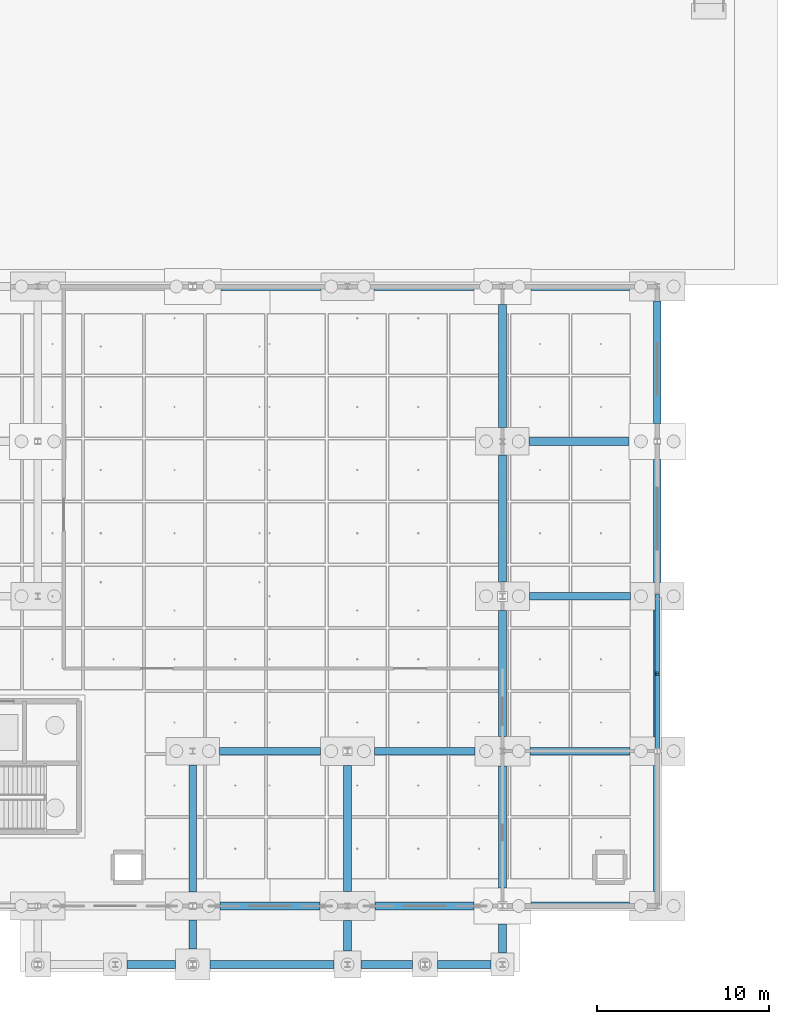
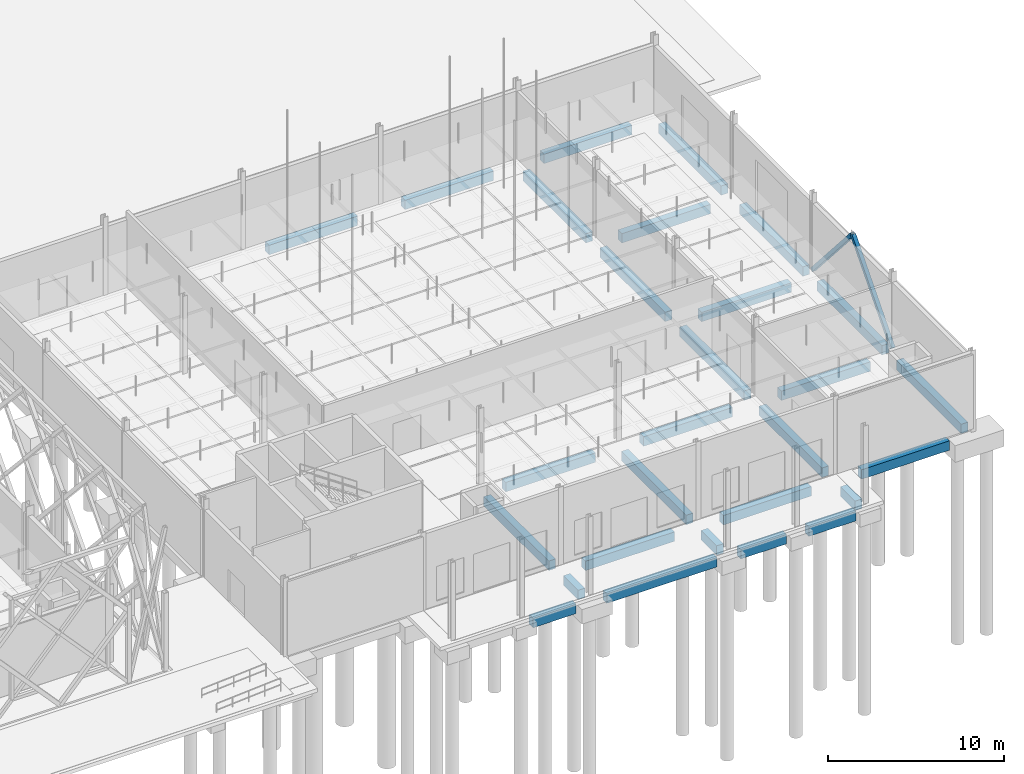
# One storey, part 63 of 180: 28 beams, 2 members.
"""IFC4 building model written with IfcOpenShell, lengths in metres."""

import ifcopenshell
import ifcopenshell.guid

model = None  # the IFC model being written
_history = None  # IfcOwnerHistory: only IFC2X3 demands one
_inside = {}  # id of a spatial element -> (the spatial element, [elements in it])
_under = {}  # id of a project, library or spatial element -> (it, [spatial elements below it])
_declared = {}  # id of a project -> (the project, [libraries it declares])
_typed = {}  # id of a type object -> (the type object, [elements of that type])
_made_of = {}  # id of a material, layer set ... -> (it, [elements and type objects made of it])


def new_model(schema):
    """Start an empty IFC model of exactly this schema.

    Asked for "IFC4X3", IfcOpenShell would pick the latest addendum, in which some entities
    have other attributes; the version numbers below select the first issue.
    IFC2X3 requires an IfcOwnerHistory on every rooted entity: one is made here for all.
    """
    global model, _history
    if schema == "IFC4X3":
        model = ifcopenshell.file(schema_version=(4, 3, 0, 0))
    else:
        model = ifcopenshell.file(schema=schema)
    _inside.clear()
    _under.clear()
    _declared.clear()
    _typed.clear()
    _made_of.clear()
    _history = None
    if model.schema == "IFC2X3":
        org = make("IfcOrganization", Name="unknown")
        user = make(
            "IfcPersonAndOrganization",
            ThePerson=make("IfcPerson", FamilyName="unknown"),
            TheOrganization=org,
        )
        app = make(
            "IfcApplication",
            ApplicationDeveloper=org,
            Version="unknown",
            ApplicationFullName="unknown",
            ApplicationIdentifier="unknown",
        )
        _history = make(
            "IfcOwnerHistory",
            OwningUser=user,
            OwningApplication=app,
            ChangeAction="ADDED",
            CreationDate=0,
        )
    return model


def make(cls, **values):
    """One entity of the class cls with the attributes given. An attribute that is None is left unset."""
    return model.create_entity(
        cls, **{name: value for name, value in values.items() if value is not None}
    )


def rooted(cls, **values):
    """An entity with a GlobalId (a new one), such as an element, a storey or a relation."""
    return make(cls, GlobalId=ifcopenshell.guid.new(), OwnerHistory=_history, **values)


def si_unit(unit_type, name, prefix=None):
    """IfcSIUnit, for example si_unit("LENGTHUNIT", "METRE", prefix="MILLI")."""
    return make("IfcSIUnit", UnitType=unit_type, Prefix=prefix, Name=name)


def assignment(units):
    """IfcUnitAssignment: the units of a project."""
    return None if units is None else make("IfcUnitAssignment", Units=units)


def point(xyz):
    """IfcCartesianPoint."""
    return None if xyz is None else make("IfcCartesianPoint", Coordinates=xyz)


def direction(xyz):
    """IfcDirection."""
    return None if xyz is None else make("IfcDirection", DirectionRatios=xyz)


def frame(location, z_axis=None, x_axis=None):
    """IfcAxis2Placement3D, a coordinate frame: its origin and axes. An axis left out is left unset."""
    return make(
        "IfcAxis2Placement3D",
        Location=point(location),
        Axis=direction(z_axis),
        RefDirection=direction(x_axis),
    )


def frame_2d(location, x_axis=None):
    """IfcAxis2Placement2D, a coordinate frame in the plane: its origin and x axis."""
    return make(
        "IfcAxis2Placement2D", Location=point(location), RefDirection=direction(x_axis)
    )


def origin():
    """The frame at (0, 0, 0) with its axes left unset."""
    return frame((0.0, 0.0, 0.0))


def origin_2d():
    """The frame at (0, 0) in the plane with its x axis left unset."""
    return frame_2d((0.0, 0.0))


def place(relative_to, where):
    """IfcLocalPlacement: puts the frame where relative to a parent placement (None: the world)."""
    return make(
        "IfcLocalPlacement", PlacementRelTo=relative_to, RelativePlacement=where
    )


def context(
    kind, dimensions, precision=None, world=None, true_north=None, identifier=None
):
    """IfcGeometricRepresentationContext, for example the 3D "Model" context."""
    return make(
        "IfcGeometricRepresentationContext",
        ContextIdentifier=identifier,
        ContextType=kind,
        CoordinateSpaceDimension=dimensions,
        Precision=precision,
        WorldCoordinateSystem=world,
        TrueNorth=true_north,
    )


def subcontext(parent, identifier, kind, view, scale=None):
    """IfcGeometricRepresentationSubContext, for example "Body" below "Model"."""
    return make(
        "IfcGeometricRepresentationSubContext",
        ContextIdentifier=identifier,
        ContextType=kind,
        ParentContext=parent,
        TargetScale=scale,
        TargetView=view,
    )


def project(units=None, contexts=None):
    """IfcProject with its units and contexts."""
    return rooted(
        "IfcProject",
        Name="project",
        RepresentationContexts=contexts,
        UnitsInContext=assignment(units),
    )


def spatial(cls, under=None, at=None, **own):
    """A site, building, storey or space (cls), placed at a placement, below another one or the project."""
    s = rooted(cls, ObjectPlacement=at, **own)
    if under is not None:
        _under.setdefault(under.id(), (under, []))[1].append(s)
    return s


def profile(cls, at=None, kind="AREA", **sizes):
    """A parametric profile (cls). Its sizes go by their IFC names, for example OverallWidth=200.0."""
    return make(cls, ProfileType=kind, Position=at, **sizes)


def rectangle(**sizes):
    """IfcRectangleProfileDef."""
    return profile("IfcRectangleProfileDef", **sizes)


def hollow_rectangle(**sizes):
    """IfcRectangleHollowProfileDef."""
    return profile("IfcRectangleHollowProfileDef", **sizes)


def extrude(swept, where, along, depth):
    """IfcExtrudedAreaSolid: the profile swept, set in the frame where, extruded along a direction by depth."""
    return make(
        "IfcExtrudedAreaSolid",
        SweptArea=swept,
        Position=where,
        ExtrudedDirection=direction(along),
        Depth=depth,
    )


def shape(context_of_items, identifier, shape_type, items):
    """IfcShapeRepresentation: the items that make up one representation, for example the "Body"."""
    return make(
        "IfcShapeRepresentation",
        ContextOfItems=context_of_items,
        RepresentationIdentifier=identifier,
        RepresentationType=shape_type,
        Items=items,
    )


def material(Name=None, Category=None):
    """IfcMaterial."""
    return make("IfcMaterial", Name=Name, Category=Category)


def material_profile(
    of_material, cross_section, Name=None, Category=None, Priority=None
):
    """IfcMaterialProfile: a cross section and its material."""
    return make(
        "IfcMaterialProfile",
        Name=Name,
        Material=of_material,
        Profile=cross_section,
        Priority=Priority,
        Category=Category,
    )


def profile_set(profiles, Name=None, composite=None):
    """IfcMaterialProfileSet."""
    return make(
        "IfcMaterialProfileSet",
        Name=Name,
        MaterialProfiles=profiles,
        CompositeProfile=composite,
    )


def made_of(thing, what):
    """Note that an element or type object is made of a material, layer set ...; save() writes the relation."""
    if what is not None:
        _made_of.setdefault(what.id(), (what, []))[1].append(thing)
    return thing


def type_object(cls, material=None, **own):
    """A type object (cls), such as IfcWallType, which elements share."""
    return made_of(rooted(cls, **own), material)


def element(
    cls,
    number,
    at=None,
    inside=None,
    cuts=None,
    type_object=None,
    material=None,
    context=None,
    identifier="Body",
    shape_type=None,
    held_by="IfcProductDefinitionShape",
    body=None,
    shapes=None,
    **own,
):
    """One element of the class cls, such as IfcWall. Its Tag is "e" and its number.

    at: its placement. inside: the storey or other place that contains it. cuts: it is an
    opening in that element (IfcRelVoidsElement). A single representation is given by context,
    identifier, shape_type and body (its items); several are given by shapes. held_by: the class
    of the entity that holds the representations. save() writes the other relations.
    """
    e = rooted(cls, Tag="e%d" % number, ObjectPlacement=at, **own)
    if body is not None:
        shapes = [shape(context, identifier, shape_type, body)]
    if shapes is not None:
        e.Representation = make(held_by, Representations=shapes)
    if inside is not None:
        _inside.setdefault(inside.id(), (inside, []))[1].append(e)
    if cuts is not None:
        rooted(
            "IfcRelVoidsElement", RelatingBuildingElement=cuts, RelatedOpeningElement=e
        )
    if type_object is not None:
        _typed.setdefault(type_object.id(), (type_object, []))[1].append(e)
    return made_of(e, material)


def aggregate(whole, parts):
    """IfcRelAggregates: a whole, such as a stair, and the parts it consists of."""
    return rooted("IfcRelAggregates", RelatingObject=whole, RelatedObjects=parts)


def save(model, path):
    """Write the relations noted so far, then the file.

    IfcRelAggregates (storeys below a building ...), IfcRelContainedInSpatialStructure (elements
    in a storey), IfcRelDefinesByType, IfcRelAssociatesMaterial and IfcRelDeclares: one each for
    every whole, place, type object, material and project.
    """
    for whole, parts in _under.values():
        aggregate(whole, parts)
    for where, things in _inside.values():
        rooted(
            "IfcRelContainedInSpatialStructure",
            RelatedElements=things,
            RelatingStructure=where,
        )
    for kind, things in _typed.values():
        rooted("IfcRelDefinesByType", RelatedObjects=things, RelatingType=kind)
    for what, things in _made_of.values():
        rooted("IfcRelAssociatesMaterial", RelatedObjects=things, RelatingMaterial=what)
    for by, libraries in _declared.values():
        rooted("IfcRelDeclares", RelatingContext=by, RelatedDefinitions=libraries)
    model.write(path)


model = new_model("IFC4")

# Units and contexts
model_context = context("Model", 3, precision=1e-05, world=origin(), true_north=direction((0.0, 1.0)))
body_context = subcontext(model_context, "Body", "Model", "MODEL_VIEW")
ifc_project = project(units=[si_unit("LENGTHUNIT", "METRE"), si_unit("AREAUNIT", "SQUARE_METRE"), si_unit("VOLUMEUNIT", "CUBIC_METRE"), si_unit("PLANEANGLEUNIT", "RADIAN"), si_unit("MASSUNIT", "GRAM", prefix="KILO"), si_unit("THERMODYNAMICTEMPERATUREUNIT", "KELVIN"), si_unit("POWERUNIT", "WATT")], contexts=[model_context])

# Site, building, storey
site_placement = place(None, origin())
site = spatial("IfcSite", under=ifc_project, at=site_placement, CompositionType="ELEMENT")
building_placement = place(site_placement, origin())
building = spatial("IfcBuilding", under=site, at=building_placement, Name="Tallowbark Science Centre", CompositionType="ELEMENT")
storey_placement = place(building_placement, origin())
storey = spatial("IfcBuildingStorey", under=building, at=storey_placement, Name="L00", CompositionType="ELEMENT", Elevation=0.0)

# Beams
ifc_material_1 = material(Name="Concrete Grade N40 (40 MPa)", Category="concrete")
ifc_material_profile_1 = material_profile(ifc_material_1, rectangle(XDim=0.449951171875, YDim=0.64990234375, at=origin_2d()), Name="RC450x650")
ifc_profile_set_1 = profile_set([ifc_material_profile_1], Name="Concrete Grade N40 (40 MPa)")
beam_type = type_object("IfcBeamType", Name="BM-GB2-N40", PredefinedType="BEAM", material=ifc_profile_set_1)
beam_1_placement = place(storey_placement, frame((150.050048828125, 27.0, -0.5849609375), z_axis=(1.0, 0.0, 0.0), x_axis=(0.0, 1.0, 0.0)))
element("IfcBeam", 1, at=beam_1_placement, inside=storey, type_object=beam_type, Name="Ground Tie Beam GBT-X-240", PredefinedType="BEAM", context=body_context, shape_type="SweptSolid", body=[
    extrude(rectangle(XDim=0.449951171875, YDim=0.64990234375, at=origin_2d()), origin(), (0.0, 0.0, 1.0), 5.800048828125),
])
beam_2_placement = place(storey_placement, frame((132.050048828125, 9.0, -0.5849609375), z_axis=(1.0, 0.0, 0.0), x_axis=(0.0, 1.0, 0.0)))
element("IfcBeam", 2, at=beam_2_placement, inside=storey, type_object=beam_type, Name="Ground Tie Beam GBT-X-244", PredefinedType="BEAM", context=body_context, shape_type="SweptSolid", body=[
    extrude(rectangle(XDim=0.449951171875, YDim=0.64990234375, at=origin_2d()), origin(), (0.0, 0.0, 1.0), 5.875),
])
for number, where, z_axis, x_axis, name in (
    (3, (141.074951171875, 9.0, -0.5849609375), (1.0, 0.0, 0.0), (0.0, 1.0, 0.0), "Ground Tie Beam GBT-X-245"),
    (4, (150.10009765625, 9.0, -0.5849609375), (1.0, 0.0, 0.0), (0.0, 1.0, 0.0), "Ground Tie Beam GBT-X-246"),
    (5, (132.074951171875, 0.0, -0.5849609375), (1.0, 0.0, 0.0), (0.0, 1.0, 0.0), "Ground Tie Beam GBT-X-255"),
):
    element("IfcBeam", number, at=place(storey_placement, frame(where, z_axis=z_axis, x_axis=x_axis)), inside=storey, type_object=beam_type, Name=name, PredefinedType="BEAM", context=body_context, shape_type="SweptSolid", body=[
        extrude(rectangle(XDim=0.449951171875, YDim=0.64990234375, at=origin_2d()), origin(), (0.0, 0.0, 1.0), 5.824951171875),
    ])
for number, where, z_axis, x_axis, name in (
    (6, (141.10009765625, 0.0, -0.5849609375), (1.0, 0.0, 0.0), (0.0, 1.0, 0.0), "Ground Tie Beam GBT-X-256"),
    (7, (150.14990234375, 0.0, -0.5849609375), (1.0, 0.0, 0.0), (0.0, 1.0, 0.0), "Ground Tie Beam GBT-X-257"),
):
    element("IfcBeam", number, at=place(storey_placement, frame(where, z_axis=z_axis, x_axis=x_axis)), inside=storey, type_object=beam_type, Name=name, PredefinedType="BEAM", context=body_context, shape_type="SweptSolid", body=[
        extrude(rectangle(XDim=0.449951171875, YDim=0.64990234375, at=origin_2d()), origin(), (0.0, 0.0, 1.0), 5.75),
    ])
beam_3_placement = place(storey_placement, frame((150.074951171875, 18.0, -0.5849609375), z_axis=(1.0, 0.0, 0.0), x_axis=(0.0, 1.0, 0.0)))
element("IfcBeam", 8, at=beam_3_placement, inside=storey, type_object=beam_type, Name="Ground Tie Beam GBT-X-260", PredefinedType="BEAM", context=body_context, shape_type="SweptSolid", body=[
    extrude(rectangle(XDim=0.449951171875, YDim=0.64990234375, at=origin_2d()), origin(), (0.0, 0.0, 1.0), 5.875),
])
for number, where, z_axis, x_axis, name in (
    (9, (132.14990234375, 36.0, -0.5849609375), (1.0, 0.0, 0.0), (0.0, 1.0, 0.0), "Ground Tie Beam GBT-X-264"),
    (10, (141.050048828125, 36.0, -0.5849609375), (1.0, 0.0, 0.0), (0.0, 1.0, 0.0), "Ground Tie Beam GBT-X-265"),
):
    element("IfcBeam", number, at=place(storey_placement, frame(where, z_axis=z_axis, x_axis=x_axis)), inside=storey, type_object=beam_type, Name=name, PredefinedType="BEAM", context=body_context, shape_type="SweptSolid", body=[
        extrude(rectangle(XDim=0.449951171875, YDim=0.64990234375, at=origin_2d()), origin(), (0.0, 0.0, 1.0), 5.800048828125),
    ])
beam_4_placement = place(storey_placement, frame((150.14990234375, 36.0, -0.5849609375), z_axis=(1.0, 0.0, 0.0), x_axis=(0.0, 1.0, 0.0)))
element("IfcBeam", 11, at=beam_4_placement, inside=storey, type_object=beam_type, Name="Ground Tie Beam GBT-X-266", PredefinedType="BEAM", context=body_context, shape_type="SweptSolid", body=[
    extrude(rectangle(XDim=0.449951171875, YDim=0.64990234375, at=origin_2d()), origin(), (0.0, 0.0, 1.0), 5.75),
])
beam_5_placement = place(storey_placement, frame((126.675048828125, -3.39990234375, -0.5849609375), z_axis=(1.0, 0.0, 0.0), x_axis=(0.0, 1.0, 0.0)))
element("IfcBeam", 12, at=beam_5_placement, inside=storey, type_object=beam_type, Name="Ground Tie Beam GBT-X-288", PredefinedType="BEAM", context=body_context, shape_type="SweptSolid", body=[
    extrude(rectangle(XDim=0.449951171875, YDim=0.64990234375, at=origin_2d()), origin(), (0.0, 0.0, 1.0), 2.824951171875),
])
beam_6_placement = place(storey_placement, frame((131.5, -3.39990234375, -0.5849609375), z_axis=(1.0, 0.0, 0.0), x_axis=(0.0, 1.0, 0.0)))
element("IfcBeam", 13, at=beam_6_placement, inside=storey, type_object=beam_type, Name="Ground Tie Beam GBT-X-289", PredefinedType="BEAM", context=body_context, shape_type="SweptSolid", body=[
    extrude(rectangle(XDim=0.449951171875, YDim=0.64990234375, at=origin_2d()), origin(), (0.0, 0.0, 1.0), 7.22509765625),
])
beam_7_placement = place(storey_placement, frame((140.27490234375, -3.39990234375, -0.5849609375), z_axis=(1.0, 0.0, 0.0), x_axis=(0.0, 1.0, 0.0)))
element("IfcBeam", 14, at=beam_7_placement, inside=storey, type_object=beam_type, Name="Ground Tie Beam GBT-X-290", PredefinedType="BEAM", context=body_context, shape_type="SweptSolid", body=[
    extrude(rectangle(XDim=0.449951171875, YDim=0.64990234375, at=origin_2d()), origin(), (0.0, 0.0, 1.0), 3.0),
])
beam_8_placement = place(storey_placement, frame((144.72509765625, -3.39990234375, -0.5849609375), z_axis=(1.0, 0.0, 0.0), x_axis=(0.0, 1.0, 0.0)))
element("IfcBeam", 15, at=beam_8_placement, inside=storey, type_object=beam_type, Name="Ground Tie Beam GBT-X-291", PredefinedType="BEAM", context=body_context, shape_type="SweptSolid", body=[
    extrude(rectangle(XDim=0.449951171875, YDim=0.64990234375, at=origin_2d()), origin(), (0.0, 0.0, 1.0), 3.099853515625),
])
beam_9_placement = place(storey_placement, frame((130.5, -2.5, -0.5849609375), z_axis=(0.0, 1.0, 0.0), x_axis=(-1.0, 0.0, 0.0)))
element("IfcBeam", 16, at=beam_9_placement, inside=storey, type_object=beam_type, Name="Ground Tie Beam GBT-Y-334", PredefinedType="BEAM", context=body_context, shape_type="SweptSolid", body=[
    extrude(rectangle(XDim=0.449951171875, YDim=0.64990234375, at=origin_2d()), origin(), (0.0, 0.0, 1.0), 1.675048828125),
])
beam_10_placement = place(storey_placement, frame((130.5, 0.824951171875, -0.5849609375), z_axis=(0.0, 1.0, 0.0), x_axis=(-1.0, 0.0, 0.0)))
element("IfcBeam", 17, at=beam_10_placement, inside=storey, type_object=beam_type, Name="Ground Tie Beam GBT-Y-335", PredefinedType="BEAM", context=body_context, shape_type="SweptSolid", body=[
    extrude(rectangle(XDim=0.449951171875, YDim=0.64990234375, at=origin_2d()), origin(), (0.0, 0.0, 1.0), 7.375),
])
beam_11_placement = place(storey_placement, frame((139.5, -2.625, -0.5849609375), z_axis=(0.0, 1.0, 0.0), x_axis=(-1.0, 0.0, 0.0)))
element("IfcBeam", 18, at=beam_11_placement, inside=storey, type_object=beam_type, Name="Ground Tie Beam GBT-Y-336", PredefinedType="BEAM", context=body_context, shape_type="SweptSolid", body=[
    extrude(rectangle(XDim=0.449951171875, YDim=0.64990234375, at=origin_2d()), origin(), (0.0, 0.0, 1.0), 1.77490234375),
])
beam_12_placement = place(storey_placement, frame((139.5, 0.85009765625, -0.5849609375), z_axis=(0.0, 1.0, 0.0), x_axis=(-1.0, 0.0, 0.0)))
element("IfcBeam", 19, at=beam_12_placement, inside=storey, type_object=beam_type, Name="Ground Tie Beam GBT-Y-337", PredefinedType="BEAM", context=body_context, shape_type="SweptSolid", body=[
    extrude(rectangle(XDim=0.449951171875, YDim=0.64990234375, at=origin_2d()), origin(), (0.0, 0.0, 1.0), 7.324951171875),
])
beam_13_placement = place(storey_placement, frame((148.5, -2.72509765625, -0.5849609375), z_axis=(0.0, 1.0, 0.0), x_axis=(-1.0, 0.0, 0.0)))
element("IfcBeam", 20, at=beam_13_placement, inside=storey, type_object=beam_type, Name="Ground Tie Beam GBT-Y-338", PredefinedType="BEAM", context=body_context, shape_type="SweptSolid", body=[
    extrude(rectangle(XDim=0.449951171875, YDim=0.64990234375, at=origin_2d()), origin(), (0.0, 0.0, 1.0), 1.675048828125),
])
beam_14_placement = place(storey_placement, frame((148.5, 1.050048828125, -0.5849609375), z_axis=(0.0, 1.0, 0.0), x_axis=(-1.0, 0.0, 0.0)))
element("IfcBeam", 21, at=beam_14_placement, inside=storey, type_object=beam_type, Name="Ground Tie Beam GBT-Y-339", PredefinedType="BEAM", context=body_context, shape_type="SweptSolid", body=[
    extrude(rectangle(XDim=0.449951171875, YDim=0.64990234375, at=origin_2d()), origin(), (0.0, 0.0, 1.0), 7.099853515625),
])
beam_15_placement = place(storey_placement, frame((148.5, 9.85009765625, -0.5849609375), z_axis=(0.0, 1.0, 0.0), x_axis=(-1.0, 0.0, 0.0)))
element("IfcBeam", 22, at=beam_15_placement, inside=storey, type_object=beam_type, Name="Ground Tie Beam GBT-Y-340", PredefinedType="BEAM", context=body_context, shape_type="SweptSolid", body=[
    extrude(rectangle(XDim=0.449951171875, YDim=0.64990234375, at=origin_2d()), origin(), (0.0, 0.0, 1.0), 7.324951171875),
])
beam_16_placement = place(storey_placement, frame((148.5, 18.824951171875, -0.5849609375), z_axis=(0.0, 1.0, 0.0), x_axis=(-1.0, 0.0, 0.0)))
element("IfcBeam", 23, at=beam_16_placement, inside=storey, type_object=beam_type, Name="Ground Tie Beam GBT-Y-341", PredefinedType="BEAM", context=body_context, shape_type="SweptSolid", body=[
    extrude(rectangle(XDim=0.449951171875, YDim=0.64990234375, at=origin_2d()), origin(), (0.0, 0.0, 1.0), 7.375),
])
beam_17_placement = place(storey_placement, frame((148.5, 27.800048828125, -0.5849609375), z_axis=(0.0, 1.0, 0.0), x_axis=(-1.0, 0.0, 0.0)))
element("IfcBeam", 24, at=beam_17_placement, inside=storey, type_object=beam_type, Name="Ground Tie Beam GBT-Y-342", PredefinedType="BEAM", context=body_context, shape_type="SweptSolid", body=[
    extrude(rectangle(XDim=0.449951171875, YDim=0.64990234375, at=origin_2d()), origin(), (0.0, 0.0, 1.0), 7.14990234375),
])
beam_18_placement = place(storey_placement, frame((157.5, 0.85009765625, -0.5849609375), z_axis=(0.0, 1.0, 0.0), x_axis=(-1.0, 0.0, 0.0)))
element("IfcBeam", 25, at=beam_18_placement, inside=storey, type_object=beam_type, Name="Ground Tie Beam GBT-Y-343", PredefinedType="BEAM", context=body_context, shape_type="SweptSolid", body=[
    extrude(rectangle(XDim=0.449951171875, YDim=0.64990234375, at=origin_2d()), origin(), (0.0, 0.0, 1.0), 7.324951171875),
])
beam_19_placement = place(storey_placement, frame((157.5, 9.824951171875, -0.5849609375), z_axis=(0.0, 1.0, 0.0), x_axis=(-1.0, 0.0, 0.0)))
element("IfcBeam", 26, at=beam_19_placement, inside=storey, type_object=beam_type, Name="Ground Tie Beam GBT-Y-344", PredefinedType="BEAM", context=body_context, shape_type="SweptSolid", body=[
    extrude(rectangle(XDim=0.449951171875, YDim=0.64990234375, at=origin_2d()), origin(), (0.0, 0.0, 1.0), 7.375),
])
beam_20_placement = place(storey_placement, frame((157.5, 18.800048828125, -0.5849609375), z_axis=(0.0, 1.0, 0.0), x_axis=(-1.0, 0.0, 0.0)))
element("IfcBeam", 27, at=beam_20_placement, inside=storey, type_object=beam_type, Name="Ground Tie Beam GBT-Y-345", PredefinedType="BEAM", context=body_context, shape_type="SweptSolid", body=[
    extrude(rectangle(XDim=0.449951171875, YDim=0.64990234375, at=origin_2d()), origin(), (0.0, 0.0, 1.0), 7.14990234375),
])
beam_21_placement = place(storey_placement, frame((157.5, 28.050048828125, -0.5849609375), z_axis=(0.0, 1.0, 0.0), x_axis=(-1.0, 0.0, 0.0)))
element("IfcBeam", 28, at=beam_21_placement, inside=storey, type_object=beam_type, Name="Ground Tie Beam GBT-Y-346", PredefinedType="BEAM", context=body_context, shape_type="SweptSolid", body=[
    extrude(rectangle(XDim=0.449951171875, YDim=0.64990234375, at=origin_2d()), origin(), (0.0, 0.0, 1.0), 7.099853515625),
])

# Members
ifc_material_2 = material(Name="Structural Steel Grade C350L0 (350 MPa)", Category="steel")
ifc_material_profile_2 = material_profile(ifc_material_2, hollow_rectangle(XDim=0.25, YDim=0.25, WallThickness=0.009033203125, at=origin_2d()), Name="250x250x9.0SHS")
ifc_profile_set_2 = profile_set([ifc_material_profile_2], Name="Structural Steel Grade C350L0 (350 MPa)")
member_type = type_object("IfcMemberType", Name="CBF-250SHS", PredefinedType="BRACE", material=ifc_profile_set_2)
for number, where, z_axis, x_axis, name in (
    (29, (157.5, 9.0, 0.0), (0.0, 0.657993936846, 0.753023226119), (-1.0, 0.0, 0.0), "Concentric Chevron Brace CBF-THT-E1 L00 Left"),
    (30, (157.5, 18.0, 0.0), (0.0, -0.657993936846, 0.753023226119), (1.0, 0.0, 0.0), "Concentric Chevron Brace CBF-THT-E1 L00 Right"),
):
    element("IfcMember", number, at=place(storey_placement, frame(where, z_axis=z_axis, x_axis=x_axis)), inside=storey, type_object=member_type, Name=name, PredefinedType="BRACE", context=body_context, shape_type="SweptSolid", body=[
        extrude(hollow_rectangle(XDim=0.25, YDim=0.25, WallThickness=0.009033203125, at=origin_2d()), origin(), (0.0, 0.0, 1.0), 6.8388671875),
    ])

save(model, "model.ifc")
